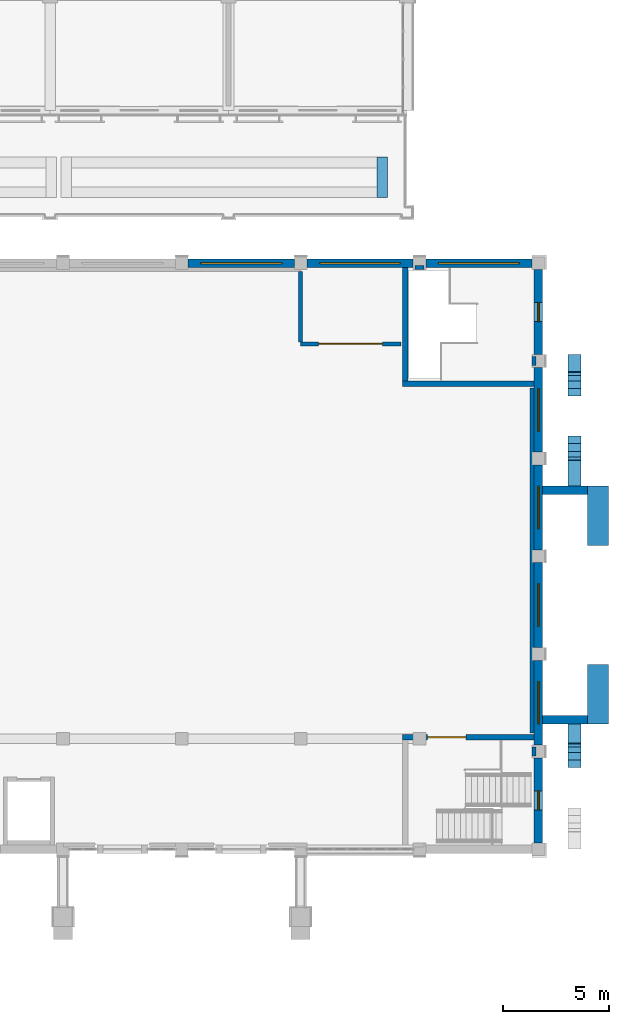
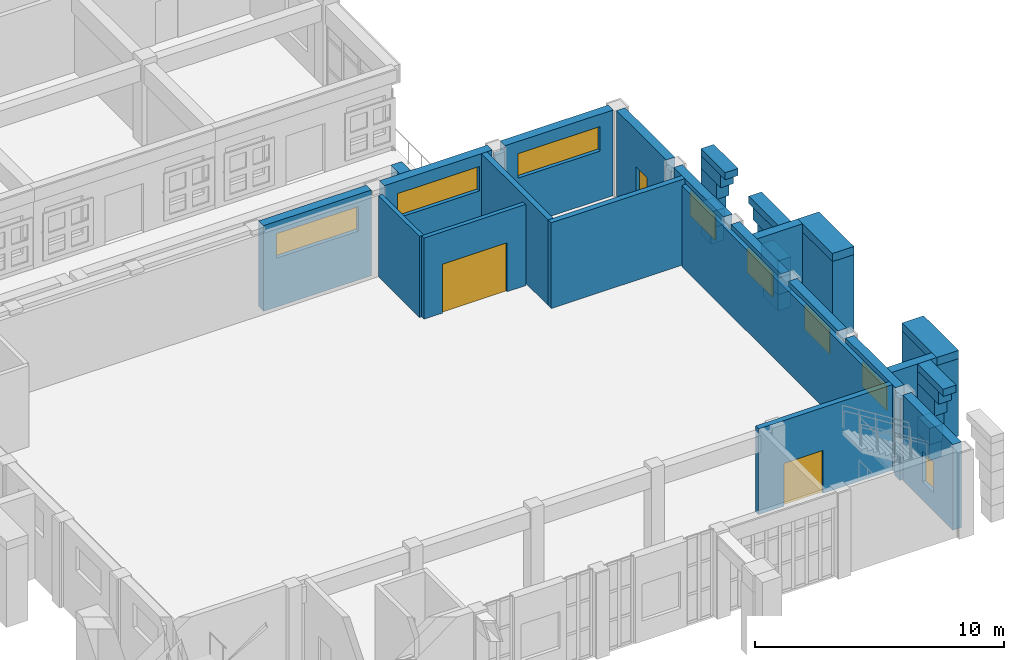
# One storey, part 68 of 99: 43 walls, 9 windows, 2 doors, 11 openings.
"""IFC4 building model written with IfcOpenShell, lengths in metres."""

from ifc_helpers import new_model, si_unit, direction, frame, frame_2d, origin, place, context, subcontext, project, spatial, rectangle, extrude, material, layer, layer_set, type_object, element, fill, save


model = new_model("IFC4")

# Units and contexts
model_context = context("Model", 3, precision=1e-05, world=origin(), true_north=direction((0.0, 1.0)))
body_context = subcontext(model_context, "Body", "Model", "MODEL_VIEW")
ifc_project = project(units=[si_unit("LENGTHUNIT", "METRE"), si_unit("AREAUNIT", "SQUARE_METRE"), si_unit("VOLUMEUNIT", "CUBIC_METRE"), si_unit("PLANEANGLEUNIT", "RADIAN"), si_unit("MASSUNIT", "GRAM", prefix="KILO")], contexts=[model_context])

# Site, building, storey
site_placement = place(None, origin())
site = spatial("IfcSite", under=ifc_project, at=site_placement, CompositionType="ELEMENT")
building_placement = place(site_placement, origin())
building = spatial("IfcBuilding", under=site, at=building_placement, Name="Wasatch Bagh Community Centre", CompositionType="ELEMENT")
storey_placement = place(building_placement, frame((0.0, 0.0, 4.199951171875)))
storey = spatial("IfcBuildingStorey", under=building, at=storey_placement, Name="L01", CompositionType="ELEMENT", Elevation=4.199951171875)

# Wall
ifc_material_1 = material(Name="Concrete C35", Category="concrete")
ifc_layer_1 = layer(ifc_material_1, 0.5)
ifc_layer_set_1 = layer_set([ifc_layer_1], Name="Concrete C35")
wall_type_1 = type_object("IfcWallType", Name="LW planter trough wall 500", PredefinedType="SOLIDWALL", material=ifc_layer_set_1)
wall_1_placement = place(storey_placement, frame((138.449951171875, 68.89990234375, 0.0), z_axis=(0.0, 0.0, 1.0), x_axis=(0.0, 1.0, 0.0)))
element("IfcWall", 1, at=wall_1_placement, inside=storey, type_object=wall_type_1, Name="Planter wall T1", PredefinedType="SOLIDWALL", context=body_context, shape_type="SweptSolid", body=[
    extrude(rectangle(XDim=1.900146484375, YDim=0.5, at=frame_2d((0.9501953125, 0.0))), origin(), (0.0, 0.0, 1.0), 0.900146484375),
])

# Wall, opening, door
ifc_material_2 = material(Name="Concrete C40", Category="concrete")
ifc_layer_2 = layer(ifc_material_2, 0.25)
ifc_layer_set_2 = layer_set([ifc_layer_2], Name="Concrete C40")
wall_type_2 = type_object("IfcWallType", Name="SH RC WALL 250 shear", PredefinedType="SHEAR", material=ifc_layer_set_2)
wall_2_placement = place(storey_placement, frame((139.39990234375, 43.47509765625, 0.0), z_axis=(0.0, 0.0, 1.0), x_axis=(1.0, 0.0, 0.0)))
wall_2 = element("IfcWall", 2, at=wall_2_placement, inside=storey, type_object=wall_type_2, Name="SH.core.ST2.L01.N", PredefinedType="SHEAR", context=body_context, shape_type="SweptSolid", body=[
    extrude(rectangle(XDim=6.2001953125, YDim=0.25, at=frame_2d((3.10009765625, 0.0))), origin(), (0.0, 0.0, 1.0), 4.199951171875),
])
opening_1_placement = place(wall_2_placement, frame((1.185791015625, 0.0, 0.0)))
opening_1 = element("IfcOpeningElement", 3, at=opening_1_placement, cuts=wall_2, Name="Opening 1S-03", PredefinedType="OPENING", context=body_context, shape_type="SweptSolid", body=[
    extrude(rectangle(XDim=1.800048828125, YDim=2.10009765625, at=frame_2d((0.89990234375, 1.050048828125))), frame((0.0, 0.135009765625, 0.0), z_axis=(0.0, -1.0, 0.0), x_axis=(1.0, 0.0, 0.0)), (0.0, 0.0, 1.0), 0.27001953125),
])
ifc_material_3 = material(Name="Aluminium frame and glass", Category="aluminium")
door_type_1 = type_object("IfcDoorType", Name="SH door 1800x2100 double", OperationType="DOUBLE_DOOR_SINGLE_SWING", PredefinedType="DOOR", material=ifc_material_3)
door_1_placement = place(opening_1_placement, origin())
door_1 = element("IfcDoor", 4, at=door_1_placement, inside=storey, type_object=door_type_1, Name="SH.door.L01.1S-03", OperationType="DOUBLE_DOOR_SINGLE_SWING", OverallHeight=2.10009765625, OverallWidth=1.800048828125, PredefinedType="DOOR", context=body_context, shape_type="SweptSolid", body=[
    extrude(rectangle(XDim=1.800048828125, YDim=2.10009765625, at=frame_2d((0.89990234375, 1.050048828125))), frame((0.0, 0.02490234375, 0.0), z_axis=(0.0, -1.0, 0.0), x_axis=(1.0, 0.0, 0.0)), (0.0, 0.0, 1.0), 0.050048828125),
])
fill(opening_1, door_1)

# Walls
wall_3_placement = place(storey_placement, frame((139.52490234375, 60.25, 0.0), z_axis=(0.0, 0.0, 1.0), x_axis=(0.0, 1.0, 0.0)))
element("IfcWall", 5, at=wall_3_placement, inside=storey, type_object=wall_type_2, Name="SH.core.ST3.L01.W", PredefinedType="SHEAR", context=body_context, shape_type="SweptSolid", body=[
    extrude(rectangle(XDim=5.35009765625, YDim=0.25, at=frame_2d((2.675048828125, 0.0))), origin(), (0.0, 0.0, 1.0), 4.199951171875),
])
wall_4_placement = place(storey_placement, frame((139.39990234375, 60.125, 0.0), z_axis=(0.0, 0.0, 1.0), x_axis=(1.0, 0.0, 0.0)))
element("IfcWall", 6, at=wall_4_placement, inside=storey, type_object=wall_type_2, Name="SH.core.ST3.L01.S", PredefinedType="SHEAR", context=body_context, shape_type="SweptSolid", body=[
    extrude(rectangle(XDim=6.2001953125, YDim=0.25, at=frame_2d((3.10009765625, 0.0))), origin(), (0.0, 0.0, 1.0), 4.199951171875),
])

# Wall, opening, window
ifc_layer_3 = layer(ifc_material_2, 0.39990234375)
ifc_layer_set_3 = layer_set([ifc_layer_3], Name="Concrete C40")
wall_type_3 = type_object("IfcWallType", Name="SH RC WALL 400 solidwall", PredefinedType="SOLIDWALL", material=ifc_layer_set_3)
wall_5_placement = place(storey_placement, frame((129.300048828125, 65.800048828125, 0.0), z_axis=(0.0, 0.0, 1.0), x_axis=(1.0, 0.0, 0.0)))
wall_5 = element("IfcWall", 7, at=wall_5_placement, inside=storey, type_object=wall_type_3, Name="SH.wall.L01.10", PredefinedType="SOLIDWALL", context=body_context, shape_type="SweptSolid", body=[
    extrude(rectangle(XDim=5.0, YDim=0.39990234375, at=frame_2d((2.5, 0.0))), origin(), (0.0, 0.0, 1.0), 4.199951171875),
])
opening_2_placement = place(wall_5_placement, frame((0.60009765625, 0.0, 2.39990234375)))
opening_2 = element("IfcOpeningElement", 8, at=opening_2_placement, cuts=wall_5, Name="Opening 1S-W16", PredefinedType="OPENING", context=body_context, shape_type="SweptSolid", body=[
    extrude(rectangle(XDim=3.800048828125, YDim=1.199951171875, at=frame_2d((1.89990234375, 0.60009765625))), frame((0.0, 0.2099609375, 0.0), z_axis=(0.0, -1.0, 0.0), x_axis=(1.0, 0.0, 0.0)), (0.0, 0.0, 1.0), 0.419921875),
])
ifc_material_4 = material(Name="Aluminium frame with double glazing", Category="aluminium")
window_type_1 = type_object("IfcWindowType", Name="SH window 3800x1200", PartitioningType="SINGLE_PANEL", PredefinedType="WINDOW", material=ifc_material_4)
window_1_placement = place(opening_2_placement, origin())
window_1 = element("IfcWindow", 9, at=window_1_placement, inside=storey, type_object=window_type_1, Name="SH.window.L01.1S-W16", OverallHeight=1.199951171875, OverallWidth=3.800048828125, PartitioningType="SINGLE_PANEL", PredefinedType="WINDOW", context=body_context, shape_type="SweptSolid", body=[
    extrude(rectangle(XDim=3.800048828125, YDim=1.199951171875, at=frame_2d((1.89990234375, 0.60009765625))), frame((0.0, 0.030029296875, 0.0), z_axis=(0.0, -1.0, 0.0), x_axis=(1.0, 0.0, 0.0)), (0.0, 0.0, 1.0), 0.06005859375),
])
fill(opening_2, window_1)

wall_6_placement = place(storey_placement, frame((134.89990234375, 65.800048828125, 0.0), z_axis=(0.0, 0.0, 1.0), x_axis=(1.0, 0.0, 0.0)))
wall_6 = element("IfcWall", 10, at=wall_6_placement, inside=storey, type_object=wall_type_3, Name="SH.wall.L01.11", PredefinedType="SOLIDWALL", context=body_context, shape_type="SweptSolid", body=[
    extrude(rectangle(XDim=5.0, YDim=0.39990234375, at=frame_2d((2.5, 0.0))), origin(), (0.0, 0.0, 1.0), 4.199951171875),
])
opening_3_placement = place(wall_6_placement, frame((0.60009765625, 0.0, 2.39990234375)))
opening_3 = element("IfcOpeningElement", 11, at=opening_3_placement, cuts=wall_6, Name="Opening 1S-W17", PredefinedType="OPENING", context=body_context, shape_type="SweptSolid", body=[
    extrude(rectangle(XDim=3.800048828125, YDim=1.199951171875, at=frame_2d((1.89990234375, 0.60009765625))), frame((0.0, 0.2099609375, 0.0), z_axis=(0.0, -1.0, 0.0), x_axis=(1.0, 0.0, 0.0)), (0.0, 0.0, 1.0), 0.419921875),
])
window_2_placement = place(opening_3_placement, origin())
window_2 = element("IfcWindow", 12, at=window_2_placement, inside=storey, type_object=window_type_1, Name="SH.window.L01.1S-W17", OverallHeight=1.199951171875, OverallWidth=3.800048828125, PartitioningType="SINGLE_PANEL", PredefinedType="WINDOW", context=body_context, shape_type="SweptSolid", body=[
    extrude(rectangle(XDim=3.800048828125, YDim=1.199951171875, at=frame_2d((1.89990234375, 0.60009765625))), frame((0.0, 0.030029296875, 0.0), z_axis=(0.0, -1.0, 0.0), x_axis=(1.0, 0.0, 0.0)), (0.0, 0.0, 1.0), 0.06005859375),
])
fill(opening_3, window_2)

wall_7_placement = place(storey_placement, frame((140.5, 65.800048828125, 0.0), z_axis=(0.0, 0.0, 1.0), x_axis=(1.0, 0.0, 0.0)))
wall_7 = element("IfcWall", 13, at=wall_7_placement, inside=storey, type_object=wall_type_3, Name="SH.wall.L01.12", PredefinedType="SOLIDWALL", context=body_context, shape_type="SweptSolid", body=[
    extrude(rectangle(XDim=5.0, YDim=0.39990234375, at=frame_2d((2.5, 0.0))), origin(), (0.0, 0.0, 1.0), 4.199951171875),
])
opening_4_placement = place(wall_7_placement, frame((0.60009765625, 0.0, 2.39990234375)))
opening_4 = element("IfcOpeningElement", 14, at=opening_4_placement, cuts=wall_7, Name="Opening 1S-W18", PredefinedType="OPENING", context=body_context, shape_type="SweptSolid", body=[
    extrude(rectangle(XDim=3.800048828125, YDim=1.199951171875, at=frame_2d((1.89990234375, 0.60009765625))), frame((0.0, 0.2099609375, 0.0), z_axis=(0.0, -1.0, 0.0), x_axis=(1.0, 0.0, 0.0)), (0.0, 0.0, 1.0), 0.419921875),
])
window_3_placement = place(opening_4_placement, origin())
window_3 = element("IfcWindow", 15, at=window_3_placement, inside=storey, type_object=window_type_1, Name="SH.window.L01.1S-W18", OverallHeight=1.199951171875, OverallWidth=3.800048828125, PartitioningType="SINGLE_PANEL", PredefinedType="WINDOW", context=body_context, shape_type="SweptSolid", body=[
    extrude(rectangle(XDim=3.800048828125, YDim=1.199951171875, at=frame_2d((1.89990234375, 0.60009765625))), frame((0.0, 0.030029296875, 0.0), z_axis=(0.0, -1.0, 0.0), x_axis=(1.0, 0.0, 0.0)), (0.0, 0.0, 1.0), 0.06005859375),
])
fill(opening_4, window_3)

wall_8_placement = place(storey_placement, frame((145.800048828125, 38.5, 0.0), z_axis=(0.0, 0.0, 1.0), x_axis=(0.0, 1.0, 0.0)))
wall_8 = element("IfcWall", 16, at=wall_8_placement, inside=storey, type_object=wall_type_3, Name="SH.wall.L01.19", PredefinedType="SOLIDWALL", context=body_context, shape_type="SweptSolid", body=[
    extrude(rectangle(XDim=4.0, YDim=0.39990234375, at=frame_2d((2.0, 0.0))), origin(), (0.0, 0.0, 1.0), 4.199951171875),
])
opening_5_placement = place(wall_8_placement, frame((1.550048828125, 0.0, 0.89990234375)))
opening_5 = element("IfcOpeningElement", 17, at=opening_5_placement, cuts=wall_8, Name="Opening 1S-W04", PredefinedType="OPENING", context=body_context, shape_type="SweptSolid", body=[
    extrude(rectangle(XDim=0.89990234375, YDim=1.5, at=frame_2d((0.449951171875, 0.75))), frame((0.0, 0.2099609375, 0.0), z_axis=(0.0, -1.0, 0.0), x_axis=(1.0, 0.0, 0.0)), (0.0, 0.0, 1.0), 0.419921875),
])
window_type_2 = type_object("IfcWindowType", Name="SH window 900x1500", PartitioningType="SINGLE_PANEL", PredefinedType="WINDOW", material=ifc_material_4)
window_4_placement = place(opening_5_placement, origin())
window_4 = element("IfcWindow", 18, at=window_4_placement, inside=storey, type_object=window_type_2, Name="SH.window.L01.1S-W04", OverallHeight=1.5, OverallWidth=0.89990234375, PartitioningType="SINGLE_PANEL", PredefinedType="WINDOW", context=body_context, shape_type="SweptSolid", body=[
    extrude(rectangle(XDim=0.89990234375, YDim=1.5, at=frame_2d((0.449951171875, 0.75))), frame((0.0, 0.030029296875, 0.0), z_axis=(0.0, -1.0, 0.0), x_axis=(1.0, 0.0, 0.0)), (0.0, 0.0, 1.0), 0.06005859375),
])
fill(opening_5, window_4)

wall_9_placement = place(storey_placement, frame((145.800048828125, 43.10009765625, 0.0), z_axis=(0.0, 0.0, 1.0), x_axis=(0.0, 1.0, 0.0)))
wall_9 = element("IfcWall", 19, at=wall_9_placement, inside=storey, type_object=wall_type_3, Name="SH.wall.L01.20", PredefinedType="SOLIDWALL", context=body_context, shape_type="SweptSolid", body=[
    extrude(rectangle(XDim=4.0, YDim=0.39990234375, at=frame_2d((2.0, 0.0))), origin(), (0.0, 0.0, 1.0), 4.199951171875),
])
opening_6_placement = place(wall_9_placement, frame((1.0, 0.0, 2.39990234375)))
opening_6 = element("IfcOpeningElement", 20, at=opening_6_placement, cuts=wall_9, Name="Opening 1S-W10", PredefinedType="OPENING", context=body_context, shape_type="SweptSolid", body=[
    extrude(rectangle(XDim=2.0, YDim=1.199951171875, at=frame_2d((1.0, 0.60009765625))), frame((0.0, 0.2099609375, 0.0), z_axis=(0.0, -1.0, 0.0), x_axis=(1.0, 0.0, 0.0)), (0.0, 0.0, 1.0), 0.419921875),
])
window_type_3 = type_object("IfcWindowType", Name="SH window 2000x1200", PartitioningType="SINGLE_PANEL", PredefinedType="WINDOW", material=ifc_material_4)
window_5_placement = place(opening_6_placement, origin())
window_5 = element("IfcWindow", 21, at=window_5_placement, inside=storey, type_object=window_type_3, Name="SH.window.L01.1S-W10", OverallHeight=1.199951171875, OverallWidth=2.0, PartitioningType="SINGLE_PANEL", PredefinedType="WINDOW", context=body_context, shape_type="SweptSolid", body=[
    extrude(rectangle(XDim=2.0, YDim=1.199951171875, at=frame_2d((1.0, 0.60009765625))), frame((0.0, 0.030029296875, 0.0), z_axis=(0.0, -1.0, 0.0), x_axis=(1.0, 0.0, 0.0)), (0.0, 0.0, 1.0), 0.06005859375),
])
fill(opening_6, window_5)

wall_10_placement = place(storey_placement, frame((145.800048828125, 47.699951171875, 0.0), z_axis=(0.0, 0.0, 1.0), x_axis=(0.0, 1.0, 0.0)))
wall_10 = element("IfcWall", 22, at=wall_10_placement, inside=storey, type_object=wall_type_3, Name="SH.wall.L01.21", PredefinedType="SOLIDWALL", context=body_context, shape_type="SweptSolid", body=[
    extrude(rectangle(XDim=4.0, YDim=0.39990234375, at=frame_2d((2.0, 0.0))), origin(), (0.0, 0.0, 1.0), 4.199951171875),
])
opening_7_placement = place(wall_10_placement, frame((1.0, 0.0, 2.39990234375)))
opening_7 = element("IfcOpeningElement", 23, at=opening_7_placement, cuts=wall_10, Name="Opening 1S-W11", PredefinedType="OPENING", context=body_context, shape_type="SweptSolid", body=[
    extrude(rectangle(XDim=2.0, YDim=1.199951171875, at=frame_2d((1.0, 0.60009765625))), frame((0.0, 0.2099609375, 0.0), z_axis=(0.0, -1.0, 0.0), x_axis=(1.0, 0.0, 0.0)), (0.0, 0.0, 1.0), 0.419921875),
])
window_6_placement = place(opening_7_placement, origin())
window_6 = element("IfcWindow", 24, at=window_6_placement, inside=storey, type_object=window_type_3, Name="SH.window.L01.1S-W11", OverallHeight=1.199951171875, OverallWidth=2.0, PartitioningType="SINGLE_PANEL", PredefinedType="WINDOW", context=body_context, shape_type="SweptSolid", body=[
    extrude(rectangle(XDim=2.0, YDim=1.199951171875, at=frame_2d((1.0, 0.60009765625))), frame((0.0, 0.030029296875, 0.0), z_axis=(0.0, -1.0, 0.0), x_axis=(1.0, 0.0, 0.0)), (0.0, 0.0, 1.0), 0.06005859375),
])
fill(opening_7, window_6)

wall_11_placement = place(storey_placement, frame((145.800048828125, 52.300048828125, 0.0), z_axis=(0.0, 0.0, 1.0), x_axis=(0.0, 1.0, 0.0)))
wall_11 = element("IfcWall", 25, at=wall_11_placement, inside=storey, type_object=wall_type_3, Name="SH.wall.L01.22", PredefinedType="SOLIDWALL", context=body_context, shape_type="SweptSolid", body=[
    extrude(rectangle(XDim=4.0, YDim=0.39990234375, at=frame_2d((2.0, 0.0))), origin(), (0.0, 0.0, 1.0), 4.199951171875),
])
opening_8_placement = place(wall_11_placement, frame((1.0, 0.0, 2.39990234375)))
opening_8 = element("IfcOpeningElement", 26, at=opening_8_placement, cuts=wall_11, Name="Opening 1S-W12", PredefinedType="OPENING", context=body_context, shape_type="SweptSolid", body=[
    extrude(rectangle(XDim=2.0, YDim=1.199951171875, at=frame_2d((1.0, 0.60009765625))), frame((0.0, 0.2099609375, 0.0), z_axis=(0.0, -1.0, 0.0), x_axis=(1.0, 0.0, 0.0)), (0.0, 0.0, 1.0), 0.419921875),
])
window_7_placement = place(opening_8_placement, origin())
window_7 = element("IfcWindow", 27, at=window_7_placement, inside=storey, type_object=window_type_3, Name="SH.window.L01.1S-W12", OverallHeight=1.199951171875, OverallWidth=2.0, PartitioningType="SINGLE_PANEL", PredefinedType="WINDOW", context=body_context, shape_type="SweptSolid", body=[
    extrude(rectangle(XDim=2.0, YDim=1.199951171875, at=frame_2d((1.0, 0.60009765625))), frame((0.0, 0.030029296875, 0.0), z_axis=(0.0, -1.0, 0.0), x_axis=(1.0, 0.0, 0.0)), (0.0, 0.0, 1.0), 0.06005859375),
])
fill(opening_8, window_7)

wall_12_placement = place(storey_placement, frame((145.800048828125, 56.89990234375, 0.0), z_axis=(0.0, 0.0, 1.0), x_axis=(0.0, 1.0, 0.0)))
wall_12 = element("IfcWall", 28, at=wall_12_placement, inside=storey, type_object=wall_type_3, Name="SH.wall.L01.23", PredefinedType="SOLIDWALL", context=body_context, shape_type="SweptSolid", body=[
    extrude(rectangle(XDim=4.0, YDim=0.39990234375, at=frame_2d((2.0, 0.0))), origin(), (0.0, 0.0, 1.0), 4.199951171875),
])
opening_9_placement = place(wall_12_placement, frame((1.0, 0.0, 2.39990234375)))
opening_9 = element("IfcOpeningElement", 29, at=opening_9_placement, cuts=wall_12, Name="Opening 1S-W13", PredefinedType="OPENING", context=body_context, shape_type="SweptSolid", body=[
    extrude(rectangle(XDim=2.0, YDim=1.199951171875, at=frame_2d((1.0, 0.60009765625))), frame((0.0, 0.2099609375, 0.0), z_axis=(0.0, -1.0, 0.0), x_axis=(1.0, 0.0, 0.0)), (0.0, 0.0, 1.0), 0.419921875),
])
window_8_placement = place(opening_9_placement, origin())
window_8 = element("IfcWindow", 30, at=window_8_placement, inside=storey, type_object=window_type_3, Name="SH.window.L01.1S-W13", OverallHeight=1.199951171875, OverallWidth=2.0, PartitioningType="SINGLE_PANEL", PredefinedType="WINDOW", context=body_context, shape_type="SweptSolid", body=[
    extrude(rectangle(XDim=2.0, YDim=1.199951171875, at=frame_2d((1.0, 0.60009765625))), frame((0.0, 0.030029296875, 0.0), z_axis=(0.0, -1.0, 0.0), x_axis=(1.0, 0.0, 0.0)), (0.0, 0.0, 1.0), 0.06005859375),
])
fill(opening_9, window_8)

wall_13_placement = place(storey_placement, frame((145.800048828125, 61.5, 0.0), z_axis=(0.0, 0.0, 1.0), x_axis=(0.0, 1.0, 0.0)))
wall_13 = element("IfcWall", 31, at=wall_13_placement, inside=storey, type_object=wall_type_3, Name="SH.wall.L01.24", PredefinedType="SOLIDWALL", context=body_context, shape_type="SweptSolid", body=[
    extrude(rectangle(XDim=4.0, YDim=0.39990234375, at=frame_2d((2.0, 0.0))), origin(), (0.0, 0.0, 1.0), 4.199951171875),
])
opening_10_placement = place(wall_13_placement, frame((1.550048828125, 0.0, 0.89990234375)))
opening_10 = element("IfcOpeningElement", 32, at=opening_10_placement, cuts=wall_13, Name="Opening 1S-W05", PredefinedType="OPENING", context=body_context, shape_type="SweptSolid", body=[
    extrude(rectangle(XDim=0.89990234375, YDim=1.5, at=frame_2d((0.449951171875, 0.75))), frame((0.0, 0.2099609375, 0.0), z_axis=(0.0, -1.0, 0.0), x_axis=(1.0, 0.0, 0.0)), (0.0, 0.0, 1.0), 0.419921875),
])
window_9_placement = place(opening_10_placement, origin())
window_9 = element("IfcWindow", 33, at=window_9_placement, inside=storey, type_object=window_type_2, Name="SH.window.L01.1S-W05", OverallHeight=1.5, OverallWidth=0.89990234375, PartitioningType="SINGLE_PANEL", PredefinedType="WINDOW", context=body_context, shape_type="SweptSolid", body=[
    extrude(rectangle(XDim=0.89990234375, YDim=1.5, at=frame_2d((0.449951171875, 0.75))), frame((0.0, 0.030029296875, 0.0), z_axis=(0.0, -1.0, 0.0), x_axis=(1.0, 0.0, 0.0)), (0.0, 0.0, 1.0), 0.06005859375),
])
fill(opening_10, window_9)

# Wall, opening, door
ifc_material_5 = material(Name="Hollow block masonry, medium weight (ASTM Grade N)", Category="masonry")
ifc_layer_4 = layer(ifc_material_5, 0.18994140625)
ifc_layer_set_4 = layer_set([ifc_layer_4], Name="Hollow block masonry, medium weight (ASTM Grade N)")
wall_type_4 = type_object("IfcWallType", Name="SH partition 190", PredefinedType="PARTITIONING", material=ifc_layer_set_4)
wall_14_placement = place(storey_placement, frame((134.60009765625, 62.0, 0.0), z_axis=(0.0, 0.0, 1.0), x_axis=(1.0, 0.0, 0.0)))
wall_14 = element("IfcWall", 34, at=wall_14_placement, inside=storey, type_object=wall_type_4, Name="SH.part.L01.009", PredefinedType="PARTITIONING", context=body_context, shape_type="SweptSolid", body=[
    extrude(rectangle(XDim=4.719970703125, YDim=0.18994140625, at=frame_2d((2.35986328125, 0.0))), origin(), (0.0, 0.0, 1.0), 3.97998046875),
])
opening_11_placement = place(wall_14_placement, frame((0.85009765625, 0.0, 0.0)))
opening_11 = element("IfcOpeningElement", 35, at=opening_11_placement, cuts=wall_14, Name="Opening 1S-05", PredefinedType="OPENING", context=body_context, shape_type="SweptSolid", body=[
    extrude(rectangle(XDim=3.0, YDim=2.39990234375, at=frame_2d((1.5, 1.199951171875))), frame((0.0, 0.10498046875, 0.0), z_axis=(0.0, -1.0, 0.0), x_axis=(1.0, 0.0, 0.0)), (0.0, 0.0, 1.0), 0.2099609375),
])
ifc_material_6 = material(Name="Galvanised steel", Category="steel")
door_type_2 = type_object("IfcDoorType", Name="SH door 3000x2400 roller", OperationType="ROLLINGUP", PredefinedType="DOOR", material=ifc_material_6)
door_2_placement = place(opening_11_placement, origin())
door_2 = element("IfcDoor", 36, at=door_2_placement, inside=storey, type_object=door_type_2, Name="SH.door.L01.1S-05", OperationType="ROLLINGUP", OverallHeight=2.39990234375, OverallWidth=3.0, PredefinedType="DOOR", context=body_context, shape_type="SweptSolid", body=[
    extrude(rectangle(XDim=3.0, YDim=2.39990234375, at=frame_2d((1.5, 1.199951171875))), frame((0.0, 0.02490234375, 0.0), z_axis=(0.0, -1.0, 0.0), x_axis=(1.0, 0.0, 0.0)), (0.0, 0.0, 1.0), 0.050048828125),
])
fill(opening_11, door_2)

# Walls
wall_15_placement = place(storey_placement, frame((134.60009765625, 65.405029296875, 0.0), z_axis=(0.0, 0.0, 1.0), x_axis=(0.0, -1.0, 0.0)))
element("IfcWall", 37, at=wall_15_placement, inside=storey, type_object=wall_type_4, Name="SH.part.L01.010", PredefinedType="PARTITIONING", context=body_context, shape_type="SweptSolid", body=[
    extrude(rectangle(XDim=3.31005859375, YDim=0.18994140625, at=frame_2d((1.655029296875, 0.0))), origin(), (0.0, 0.0, 1.0), 3.97998046875),
])
wall_16_placement = place(storey_placement, frame((140.419921875, 65.60009765625, 0.0), z_axis=(0.0, 0.0, 1.0), x_axis=(-1.0, 0.0, 0.0)))
element("IfcWall", 38, at=wall_16_placement, inside=storey, type_object=wall_type_4, Name="SH.part.L01.013", PredefinedType="PARTITIONING", context=body_context, shape_type="SweptSolid", body=[
    extrude(rectangle(XDim=0.43994140625, YDim=0.18994140625, at=frame_2d((0.219970703125, 0.0))), origin(), (0.0, 0.0, 1.0), 3.97998046875),
])
wall_17_placement = place(storey_placement, frame((145.5, 59.919921875, 0.0), z_axis=(0.0, 0.0, 1.0), x_axis=(0.0, -1.0, 0.0)))
element("IfcWall", 39, at=wall_17_placement, inside=storey, type_object=wall_type_4, Name="SH.part.L01.014", PredefinedType="PARTITIONING", context=body_context, shape_type="SweptSolid", body=[
    extrude(rectangle(XDim=16.239990234375, YDim=0.18994140625, at=frame_2d((8.1201171875, 0.0))), origin(), (0.0, 0.0, 1.0), 3.97998046875),
])
for number, where, z_axis, x_axis, name in (
    (40, (145.60009765625, 42.580078125, 0.0), (0.0, 0.0, 1.0), (0.0, 1.0, 0.0), "SH.part.L01.015"),
    (41, (145.60009765625, 60.97998046875, 0.0), (0.0, 0.0, 1.0), (0.0, 1.0, 0.0), "SH.part.L01.016"),
):
    element("IfcWall", number, at=place(storey_placement, frame(where, z_axis=z_axis, x_axis=x_axis)), inside=storey, type_object=wall_type_4, Name=name, PredefinedType="PARTITIONING", context=body_context, shape_type="SweptSolid", body=[
        extrude(rectangle(XDim=0.43994140625, YDim=0.18994140625, at=frame_2d((0.219970703125, 0.0))), origin(), (0.0, 0.0, 1.0), 3.97998046875),
    ])
ifc_layer_5 = layer(ifc_material_2, 0.60009765625)
ifc_layer_set_5 = layer_set([ifc_layer_5], Name="Concrete C40")
wall_type_5 = type_object("IfcWallType", Name="SHB-W4", PredefinedType="STANDARD", material=ifc_layer_set_5)
wall_18_placement = place(storey_placement, frame((147.5, 44.10009765625, 0.0), z_axis=(0.0, 0.0, 1.0), x_axis=(0.0, -1.0, 0.0)))
element("IfcWall", 42, at=wall_18_placement, inside=storey, type_object=wall_type_5, Name="SHB-W4 gable arcade bay arch spandrel", PredefinedType="STANDARD", context=body_context, shape_type="SweptSolid", body=[
    extrude(rectangle(XDim=0.900146484375, YDim=0.60009765625, at=frame_2d((0.4501953125, 0.0))), origin(), (0.0, 0.0, 1.0), 0.800048828125),
])
wall_19_placement = place(storey_placement, frame((147.5, 44.10009765625, 0.800048828125), z_axis=(0.0, 0.0, 1.0), x_axis=(0.0, -1.0, 0.0)))
element("IfcWall", 43, at=wall_19_placement, inside=storey, type_object=wall_type_5, Name="SHB-W4 gable arcade bay arch spandrel", PredefinedType="STANDARD", context=body_context, shape_type="SweptSolid", body=[
    extrude(rectangle(XDim=0.946044921875, YDim=0.60009765625, at=frame_2d((0.47314453125, 0.0))), origin(), (0.0, 0.0, 1.0), 0.800048828125),
])
wall_20_placement = place(storey_placement, frame((147.5, 44.10009765625, 1.60009765625), z_axis=(0.0, 0.0, 1.0), x_axis=(0.0, -1.0, 0.0)))
element("IfcWall", 44, at=wall_20_placement, inside=storey, type_object=wall_type_5, Name="SHB-W4 gable arcade bay arch spandrel", PredefinedType="STANDARD", context=body_context, shape_type="SweptSolid", body=[
    extrude(rectangle(XDim=1.08544921875, YDim=0.60009765625, at=frame_2d((0.542724609375, 0.0))), origin(), (0.0, 0.0, 1.0), 0.849853515625),
])
wall_21_placement = place(storey_placement, frame((147.5, 44.10009765625, 2.449951171875), z_axis=(0.0, 0.0, 1.0), x_axis=(0.0, -1.0, 0.0)))
element("IfcWall", 45, at=wall_21_placement, inside=storey, type_object=wall_type_5, Name="SHB-W4 gable arcade bay arch spandrel", PredefinedType="STANDARD", context=body_context, shape_type="SweptSolid", body=[
    extrude(rectangle(XDim=1.3427734375, YDim=0.60009765625, at=frame_2d((0.67138671875, 0.0))), origin(), (0.0, 0.0, 1.0), 0.800048828125),
])
wall_22_placement = place(storey_placement, frame((147.5, 44.10009765625, 3.25), z_axis=(0.0, 0.0, 1.0), x_axis=(0.0, -1.0, 0.0)))
element("IfcWall", 46, at=wall_22_placement, inside=storey, type_object=wall_type_5, Name="SHB-W4 gable arcade bay arch spandrel", PredefinedType="STANDARD", context=body_context, shape_type="SweptSolid", body=[
    extrude(rectangle(XDim=1.699951171875, YDim=0.60009765625, at=frame_2d((0.85009765625, 0.0))), origin(), (0.0, 0.0, 1.0), 0.60009765625),
])
wall_23_placement = place(storey_placement, frame((147.5, 44.10009765625, 3.85009765625), z_axis=(0.0, 0.0, 1.0), x_axis=(0.0, -1.0, 0.0)))
element("IfcWall", 47, at=wall_23_placement, inside=storey, type_object=wall_type_5, Name="SHB-W4 gable arcade bay arch spandrel", PredefinedType="STANDARD", context=body_context, shape_type="SweptSolid", body=[
    extrude(rectangle(XDim=2.053466796875, YDim=0.60009765625, at=frame_2d((1.02685546875, 0.0))), origin(), (0.0, 0.0, 1.0), 0.349853515625),
])
wall_24_placement = place(storey_placement, frame((147.5, 55.300048828125, 0.0), z_axis=(0.0, 0.0, 1.0), x_axis=(0.0, 1.0, 0.0)))
element("IfcWall", 48, at=wall_24_placement, inside=storey, type_object=wall_type_5, Name="SHB-W4 gable arcade bay arch spandrel", PredefinedType="STANDARD", context=body_context, shape_type="SweptSolid", body=[
    extrude(rectangle(XDim=1.199951171875, YDim=0.60009765625, at=frame_2d((0.60009765625, 0.0))), origin(), (0.0, 0.0, 1.0), 0.800048828125),
])
wall_25_placement = place(storey_placement, frame((147.5, 61.5, 0.0), z_axis=(0.0, 0.0, 1.0), x_axis=(0.0, -1.0, 0.0)))
element("IfcWall", 49, at=wall_25_placement, inside=storey, type_object=wall_type_5, Name="SHB-W4 gable arcade bay arch spandrel", PredefinedType="STANDARD", context=body_context, shape_type="SweptSolid", body=[
    extrude(rectangle(XDim=0.800048828125, YDim=0.60009765625, at=frame_2d((0.39990234375, 0.0))), origin(), (0.0, 0.0, 1.0), 0.800048828125),
])
wall_26_placement = place(storey_placement, frame((147.5, 55.300048828125, 0.800048828125), z_axis=(0.0, 0.0, 1.0), x_axis=(0.0, 1.0, 0.0)))
element("IfcWall", 50, at=wall_26_placement, inside=storey, type_object=wall_type_5, Name="SHB-W4 gable arcade bay arch spandrel", PredefinedType="STANDARD", context=body_context, shape_type="SweptSolid", body=[
    extrude(rectangle(XDim=1.245849609375, YDim=0.60009765625, at=frame_2d((0.623046875, 0.0))), origin(), (0.0, 0.0, 1.0), 0.800048828125),
])
wall_27_placement = place(storey_placement, frame((147.5, 61.5, 0.800048828125), z_axis=(0.0, 0.0, 1.0), x_axis=(0.0, -1.0, 0.0)))
element("IfcWall", 51, at=wall_27_placement, inside=storey, type_object=wall_type_5, Name="SHB-W4 gable arcade bay arch spandrel", PredefinedType="STANDARD", context=body_context, shape_type="SweptSolid", body=[
    extrude(rectangle(XDim=0.845947265625, YDim=0.60009765625, at=frame_2d((0.4228515625, 0.0))), origin(), (0.0, 0.0, 1.0), 0.800048828125),
])
wall_28_placement = place(storey_placement, frame((147.5, 55.300048828125, 1.60009765625), z_axis=(0.0, 0.0, 1.0), x_axis=(0.0, 1.0, 0.0)))
element("IfcWall", 52, at=wall_28_placement, inside=storey, type_object=wall_type_5, Name="SHB-W4 gable arcade bay arch spandrel", PredefinedType="STANDARD", context=body_context, shape_type="SweptSolid", body=[
    extrude(rectangle(XDim=1.38525390625, YDim=0.60009765625, at=frame_2d((0.692626953125, 0.0))), origin(), (0.0, 0.0, 1.0), 0.849853515625),
])
wall_29_placement = place(storey_placement, frame((147.5, 61.5, 1.60009765625), z_axis=(0.0, 0.0, 1.0), x_axis=(0.0, -1.0, 0.0)))
element("IfcWall", 53, at=wall_29_placement, inside=storey, type_object=wall_type_5, Name="SHB-W4 gable arcade bay arch spandrel", PredefinedType="STANDARD", context=body_context, shape_type="SweptSolid", body=[
    extrude(rectangle(XDim=0.9853515625, YDim=0.60009765625, at=frame_2d((0.49267578125, 0.0))), origin(), (0.0, 0.0, 1.0), 0.849853515625),
])
wall_30_placement = place(storey_placement, frame((147.5, 55.300048828125, 2.449951171875), z_axis=(0.0, 0.0, 1.0), x_axis=(0.0, 1.0, 0.0)))
element("IfcWall", 54, at=wall_30_placement, inside=storey, type_object=wall_type_5, Name="SHB-W4 gable arcade bay arch spandrel", PredefinedType="STANDARD", context=body_context, shape_type="SweptSolid", body=[
    extrude(rectangle(XDim=1.642578125, YDim=0.60009765625, at=frame_2d((0.8212890625, 0.0))), origin(), (0.0, 0.0, 1.0), 0.800048828125),
])
wall_31_placement = place(storey_placement, frame((147.5, 61.5, 2.449951171875), z_axis=(0.0, 0.0, 1.0), x_axis=(0.0, -1.0, 0.0)))
element("IfcWall", 55, at=wall_31_placement, inside=storey, type_object=wall_type_5, Name="SHB-W4 gable arcade bay arch spandrel", PredefinedType="STANDARD", context=body_context, shape_type="SweptSolid", body=[
    extrude(rectangle(XDim=1.24267578125, YDim=0.60009765625, at=frame_2d((0.621337890625, 0.0))), origin(), (0.0, 0.0, 1.0), 0.800048828125),
])
wall_32_placement = place(storey_placement, frame((147.5, 55.300048828125, 3.25), z_axis=(0.0, 0.0, 1.0), x_axis=(0.0, 1.0, 0.0)))
element("IfcWall", 56, at=wall_32_placement, inside=storey, type_object=wall_type_5, Name="SHB-W4 gable arcade bay arch spandrel", PredefinedType="STANDARD", context=body_context, shape_type="SweptSolid", body=[
    extrude(rectangle(XDim=1.999755859375, YDim=0.60009765625, at=frame_2d((1.0, 0.0))), origin(), (0.0, 0.0, 1.0), 0.60009765625),
])
wall_33_placement = place(storey_placement, frame((147.5, 61.5, 3.25), z_axis=(0.0, 0.0, 1.0), x_axis=(0.0, -1.0, 0.0)))
element("IfcWall", 57, at=wall_33_placement, inside=storey, type_object=wall_type_5, Name="SHB-W4 gable arcade bay arch spandrel", PredefinedType="STANDARD", context=body_context, shape_type="SweptSolid", body=[
    extrude(rectangle(XDim=1.599853515625, YDim=0.60009765625, at=frame_2d((0.7998046875, 0.0))), origin(), (0.0, 0.0, 1.0), 0.60009765625),
])
wall_34_placement = place(storey_placement, frame((147.5, 55.300048828125, 3.85009765625), z_axis=(0.0, 0.0, 1.0), x_axis=(0.0, 1.0, 0.0)))
element("IfcWall", 58, at=wall_34_placement, inside=storey, type_object=wall_type_5, Name="SHB-W4 gable arcade bay arch spandrel", PredefinedType="STANDARD", context=body_context, shape_type="SweptSolid", body=[
    extrude(rectangle(XDim=2.353271484375, YDim=0.60009765625, at=frame_2d((1.1767578125, 0.0))), origin(), (0.0, 0.0, 1.0), 0.349853515625),
])
wall_35_placement = place(storey_placement, frame((147.5, 61.5, 3.85009765625), z_axis=(0.0, 0.0, 1.0), x_axis=(0.0, -1.0, 0.0)))
element("IfcWall", 59, at=wall_35_placement, inside=storey, type_object=wall_type_5, Name="SHB-W4 gable arcade bay arch spandrel", PredefinedType="STANDARD", context=body_context, shape_type="SweptSolid", body=[
    extrude(rectangle(XDim=1.953369140625, YDim=0.60009765625, at=frame_2d((0.9765625, 0.0))), origin(), (0.0, 0.0, 1.0), 0.349853515625),
])
ifc_layer_6 = layer(ifc_material_2, 1.0)
ifc_layer_set_6 = layer_set([ifc_layer_6], Name="Concrete C40")
wall_type_6 = type_object("IfcWallType", Name="SHEQ-W4", PredefinedType="STANDARD", material=ifc_layer_set_6)
wall_36_placement = place(storey_placement, frame((148.60009765625, 55.300048828125, 3.800048828125), z_axis=(0.0, 0.0, 1.0), x_axis=(0.0, -1.0, 0.0)))
element("IfcWall", 60, at=wall_36_placement, inside=storey, type_object=wall_type_6, Name="SHEQ-W4 iwan arch spandrel", PredefinedType="STANDARD", context=body_context, shape_type="SweptSolid", body=[
    extrude(rectangle(XDim=2.800048828125, YDim=1.0, at=frame_2d((1.39990234375, 0.0))), origin(), (0.0, 0.0, 1.0), 0.39990234375),
])
wall_37_placement = place(storey_placement, frame((148.60009765625, 44.10009765625, 3.800048828125), z_axis=(0.0, 0.0, 1.0), x_axis=(0.0, 1.0, 0.0)))
element("IfcWall", 61, at=wall_37_placement, inside=storey, type_object=wall_type_6, Name="SHEQ-W4 iwan arch spandrel", PredefinedType="STANDARD", context=body_context, shape_type="SweptSolid", body=[
    extrude(rectangle(XDim=2.7998046875, YDim=1.0, at=frame_2d((1.39990234375, 0.0))), origin(), (0.0, 0.0, 1.0), 0.39990234375),
])
ifc_layer_7 = layer(ifc_material_2, 0.39990234375)
ifc_layer_set_7 = layer_set([ifc_layer_7], Name="Concrete C40")
wall_type_7 = type_object("IfcWallType", Name="SHEQ-W5", PredefinedType="STANDARD", material=ifc_layer_set_7)
for number, where, z_axis, x_axis, name in (
    (62, (148.10009765625, 55.10009765625, 0.0), (0.0, 0.0, 1.0), (-1.0, 0.0, 0.0), "SHEQ-W5 pishtaq return wall W"),
    (63, (148.10009765625, 44.300048828125, 0.0), (0.0, 0.0, 1.0), (-1.0, 0.0, 0.0), "SHEQ-W5 pishtaq return wall E"),
):
    element("IfcWall", number, at=place(storey_placement, frame(where, z_axis=z_axis, x_axis=x_axis)), inside=storey, type_object=wall_type_7, Name=name, PredefinedType="STANDARD", context=body_context, shape_type="SweptSolid", body=[
        extrude(rectangle(XDim=2.10009765625, YDim=0.39990234375, at=frame_2d((1.050048828125, 0.0))), origin(), (0.0, 0.0, 1.0), 4.199951171875),
    ])
ifc_layer_8 = layer(ifc_material_2, 1.0)
ifc_layer_set_8 = layer_set([ifc_layer_8], Name="Concrete C40")
wall_type_8 = type_object("IfcWallType", Name="SHEQ-W6", PredefinedType="STANDARD", material=ifc_layer_set_8)
wall_38_placement = place(storey_placement, frame((148.60009765625, 55.300048828125, 0.0), z_axis=(0.0, 0.0, 1.0), x_axis=(0.0, -1.0, 0.0)))
element("IfcWall", 64, at=wall_38_placement, inside=storey, type_object=wall_type_8, Name="SHEQ-W6 iwan pier panel", PredefinedType="STANDARD", context=body_context, shape_type="SweptSolid", body=[
    extrude(rectangle(XDim=2.800048828125, YDim=1.0, at=frame_2d((1.39990234375, 0.0))), origin(), (0.0, 0.0, 1.0), 3.800048828125),
])
wall_39_placement = place(storey_placement, frame((148.60009765625, 44.10009765625, 0.0), z_axis=(0.0, 0.0, 1.0), x_axis=(0.0, 1.0, 0.0)))
element("IfcWall", 65, at=wall_39_placement, inside=storey, type_object=wall_type_8, Name="SHEQ-W6 iwan pier panel", PredefinedType="STANDARD", context=body_context, shape_type="SweptSolid", body=[
    extrude(rectangle(XDim=2.7998046875, YDim=1.0, at=frame_2d((1.39990234375, 0.0))), origin(), (0.0, 0.0, 1.0), 3.800048828125),
])

save(model, "model.ifc")
